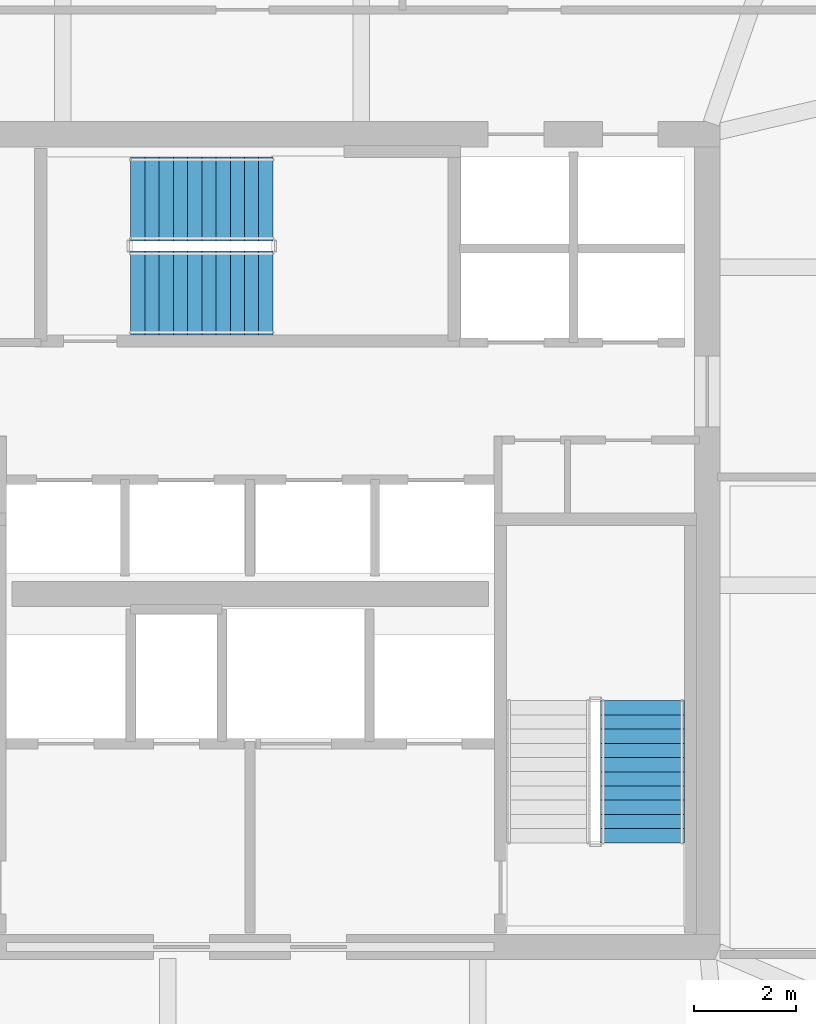
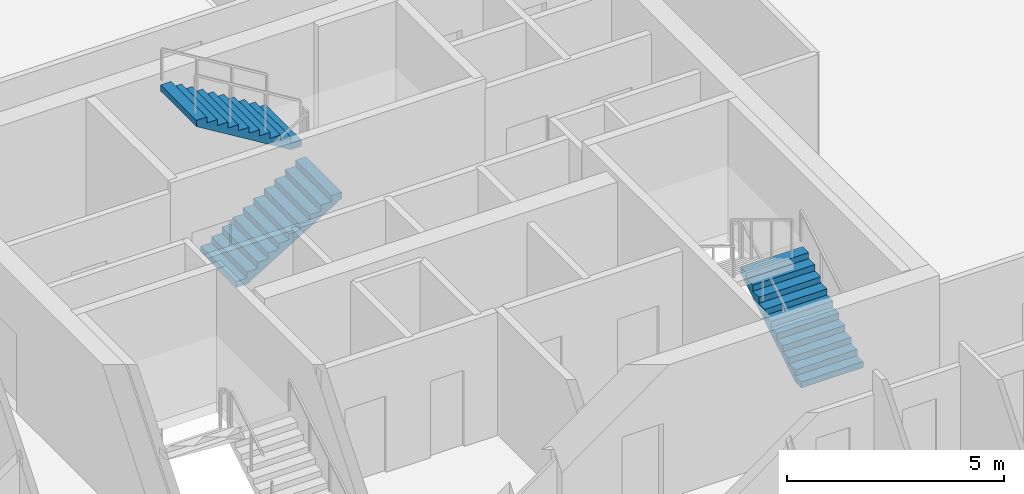
# One storey, part 27 of 32: 3 stair flights, 2 elements without a shape of their own.
"""IFC4 building model written with IfcOpenShell, lengths in metres."""

from ifc_helpers import new_model, si_unit, direction, frame, origin, place, context, subcontext, project, spatial, polyline, outline, extrude, material, type_object, element, aggregate, save


model = new_model("IFC4")

# Units and contexts
model_context = context("Model", 3, precision=1e-05, world=origin(), true_north=direction((0.0, 1.0)))
body_context = subcontext(model_context, "Body", "Model", "MODEL_VIEW")
ifc_project = project(units=[si_unit("LENGTHUNIT", "METRE"), si_unit("AREAUNIT", "SQUARE_METRE"), si_unit("VOLUMEUNIT", "CUBIC_METRE"), si_unit("PLANEANGLEUNIT", "RADIAN"), si_unit("MASSUNIT", "GRAM", prefix="KILO")], contexts=[model_context])

# Site, building, storey
site_placement = place(None, origin())
site = spatial("IfcSite", under=ifc_project, at=site_placement, CompositionType="ELEMENT")
building_placement = place(site_placement, origin())
building = spatial("IfcBuilding", under=site, at=building_placement, Name="Haldenkirk Collegiate Tower", CompositionType="ELEMENT")
storey_placement = place(building_placement, frame((0.0, 0.0, 217.199951171875)))
storey = spatial("IfcBuildingStorey", under=building, at=storey_placement, Name="L54", CompositionType="ELEMENT", Elevation=217.199951171875)

# Stair, stair flight
ifc_material = material(Name="Concrete f'c 40 MPa", Category="concrete")
stair_type = type_object("IfcStairType", Name="STR-DOGLEG-1650", PredefinedType="HALF_TURN_STAIR", material=ifc_material)
stair_1_placement = place(storey_placement, origin())
stair_1 = element("IfcStair", 1, at=stair_1_placement, inside=storey, type_object=stair_type, Name="L54 Core Exit Stair ST-2", PredefinedType="HALF_TURN_STAIR")
stair_flight_type = type_object("IfcStairFlightType", Name="STF-FLIGHT-1650", PredefinedType="STRAIGHT", material=ifc_material)
stair_flight_1_placement = place(storey_placement, frame((43.72509765625, 20.050048828125, 0.0), z_axis=(0.0, 0.0, 1.0), x_axis=(0.0, 1.0, 0.0)))
stair_flight_1 = element("IfcStairFlight", 2, at=stair_flight_1_placement, type_object=stair_flight_type, Name="ST-2 flight 1", NumberOfRisers=11, NumberOfTreads=10, PredefinedType="STRAIGHT", RiserHeight=0.170454545, TreadLength=0.28, context=body_context, shape_type="SweptSolid", body=[
    extrude(outline(polyline([(0.0, 0.0), (0.0, 0.17041015625), (0.280029296875, 0.17041015625), (0.280029296875, 0.3408203125), (0.56005859375, 0.3408203125), (0.56005859375, 0.511474609375), (0.840087890625, 0.511474609375), (0.840087890625, 0.681884765625), (1.1201171875, 0.681884765625), (1.1201171875, 0.852294921875), (1.39990234375, 0.852294921875), (1.39990234375, 1.022705078125), (1.679931640625, 1.022705078125), (1.679931640625, 1.193115234375), (1.9599609375, 1.193115234375), (1.9599609375, 1.363525390625), (2.239990234375, 1.363525390625), (2.239990234375, 1.5341796875), (2.52001953125, 1.5341796875), (2.52001953125, 1.70458984375), (2.800048828125, 1.70458984375), (2.800048828125, 1.875), (2.800048828125, 1.529052734375), (0.288330078125, 0.0), (0.0, 0.0)])), frame((0.0, 0.824951171875, 0.0), z_axis=(0.0, -1.0, 0.0), x_axis=(1.0, 0.0, 0.0)), (0.0, 0.0, 1.0), 1.64990234375),
])
aggregate(stair_1, [stair_flight_1])

# Stair, stair flights
stair_2_placement = place(storey_placement, origin())
stair_2 = element("IfcStair", 3, at=stair_2_placement, inside=storey, type_object=stair_type, Name="L54 Core Exit Stair ST-3", PredefinedType="HALF_TURN_STAIR")
stair_flight_2_placement = place(storey_placement, frame((33.64990234375, 30.875, 0.0), z_axis=(0.0, 0.0, 1.0), x_axis=(1.0, 0.0, 0.0)))
stair_flight_2 = element("IfcStairFlight", 4, at=stair_flight_2_placement, type_object=stair_flight_type, Name="ST-3 flight 1", NumberOfRisers=11, NumberOfTreads=10, PredefinedType="STRAIGHT", RiserHeight=0.170454545, TreadLength=0.28, context=body_context, shape_type="SweptSolid", body=[
    extrude(outline(polyline([(0.0, 0.0), (0.0, 0.17041015625), (0.280029296875, 0.17041015625), (0.280029296875, 0.3408203125), (0.56005859375, 0.3408203125), (0.56005859375, 0.511474609375), (0.840087890625, 0.511474609375), (0.840087890625, 0.681884765625), (1.1201171875, 0.681884765625), (1.1201171875, 0.852294921875), (1.39990234375, 0.852294921875), (1.39990234375, 1.022705078125), (1.679931640625, 1.022705078125), (1.679931640625, 1.193115234375), (1.9599609375, 1.193115234375), (1.9599609375, 1.363525390625), (2.239990234375, 1.363525390625), (2.239990234375, 1.5341796875), (2.52001953125, 1.5341796875), (2.52001953125, 1.70458984375), (2.800048828125, 1.70458984375), (2.800048828125, 1.875), (2.800048828125, 1.529052734375), (0.288330078125, 0.0), (0.0, 0.0)])), frame((0.0, 0.824951171875, 0.0), z_axis=(0.0, -1.0, 0.0), x_axis=(1.0, 0.0, 0.0)), (0.0, 0.0, 1.0), 1.64990234375),
])
stair_flight_3_placement = place(storey_placement, frame((36.449951171875, 32.72509765625, 1.875), z_axis=(0.0, 0.0, 1.0), x_axis=(-1.0, 0.0, 0.0)))
stair_flight_3 = element("IfcStairFlight", 5, at=stair_flight_3_placement, type_object=stair_flight_type, Name="ST-3 flight 2", NumberOfRisers=11, NumberOfTreads=10, PredefinedType="STRAIGHT", RiserHeight=0.170454545, TreadLength=0.28, context=body_context, shape_type="SweptSolid", body=[
    extrude(outline(polyline([(0.0, 0.0), (0.0, 0.17041015625), (0.280029296875, 0.17041015625), (0.280029296875, 0.3408203125), (0.56005859375, 0.3408203125), (0.56005859375, 0.511474609375), (0.840087890625, 0.511474609375), (0.840087890625, 0.681884765625), (1.1201171875, 0.681884765625), (1.1201171875, 0.852294921875), (1.39990234375, 0.852294921875), (1.39990234375, 1.022705078125), (1.679931640625, 1.022705078125), (1.679931640625, 1.193115234375), (1.9599609375, 1.193115234375), (1.9599609375, 1.363525390625), (2.239990234375, 1.363525390625), (2.239990234375, 1.5341796875), (2.52001953125, 1.5341796875), (2.52001953125, 1.70458984375), (2.800048828125, 1.70458984375), (2.800048828125, 1.875), (2.800048828125, 1.529052734375), (0.288330078125, 0.0), (0.0, 0.0)])), frame((0.0, 0.824951171875, 0.0), z_axis=(0.0, -1.0, 0.0), x_axis=(1.0, 0.0, 0.0)), (0.0, 0.0, 1.0), 1.64990234375),
])
aggregate(stair_2, [stair_flight_2, stair_flight_3])

save(model, "model.ifc")
